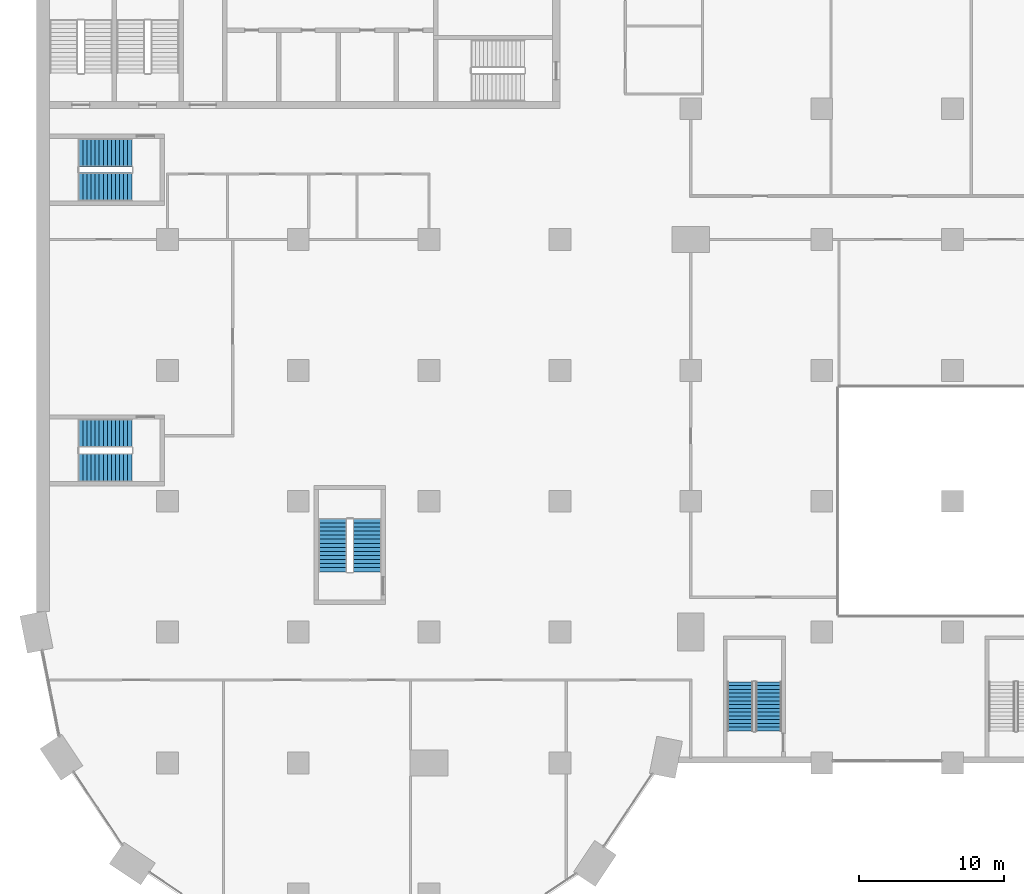
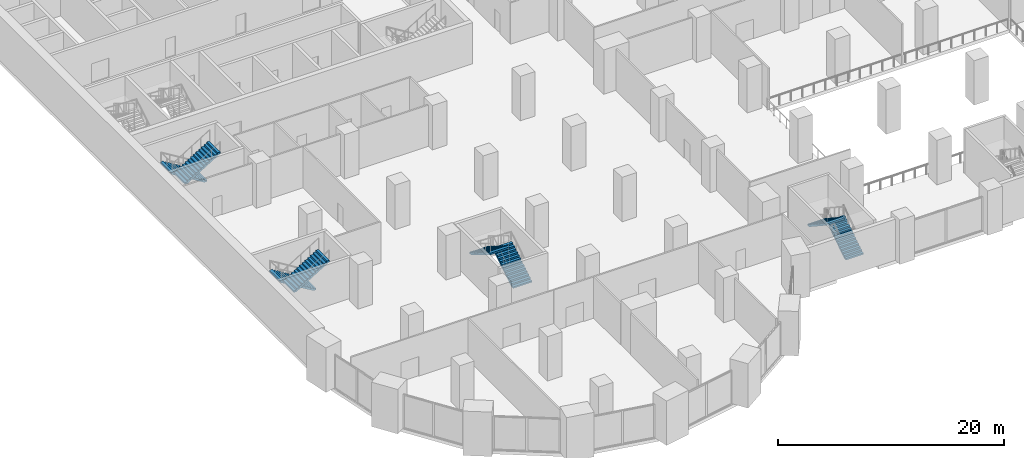
# One storey, part 31 of 49: 8 stair flights, 4 elements without a shape of their own.
"""IFC4 building model written with IfcOpenShell, lengths in metres."""

from ifc_helpers import new_model, si_unit, direction, frame, origin, place, context, subcontext, project, spatial, polyline, outline, extrude, material, type_object, element, aggregate, save


model = new_model("IFC4")

# Units and contexts
model_context = context("Model", 3, precision=1e-05, world=origin(), true_north=direction((0.0, 1.0)))
body_context = subcontext(model_context, "Body", "Model", "MODEL_VIEW")
ifc_project = project(units=[si_unit("LENGTHUNIT", "METRE"), si_unit("AREAUNIT", "SQUARE_METRE"), si_unit("VOLUMEUNIT", "CUBIC_METRE"), si_unit("PLANEANGLEUNIT", "RADIAN"), si_unit("MASSUNIT", "GRAM", prefix="KILO")], contexts=[model_context])

# Site, building, storey
site_placement = place(None, origin())
site = spatial("IfcSite", under=ifc_project, at=site_placement, CompositionType="ELEMENT")
building_placement = place(site_placement, origin())
building = spatial("IfcBuilding", under=site, at=building_placement, Name="Hunhe Ridgeline Campus", CompositionType="ELEMENT")
storey_placement = place(building_placement, frame((0.0, 0.0, 21.60009765625)))
storey = spatial("IfcBuildingStorey", under=building, at=storey_placement, Name="L04", CompositionType="ELEMENT", Elevation=21.60009765625)

# Stair, stair flights
ifc_material = material(Name="Concrete C40", Category="concrete")
stair_type_1 = type_object("IfcStairType", Name="Podium exit stair 1800", PredefinedType="HALF_TURN_STAIR", material=ifc_material)
stair_1_placement = place(storey_placement, origin())
stair_1 = element("IfcStair", 1, at=stair_1_placement, inside=storey, type_object=stair_type_1, Name="L04 podium stair PS1", PredefinedType="HALF_TURN_STAIR")
stair_flight_type_1 = type_object("IfcStairFlightType", Name="Podium stair flight 1800", PredefinedType="STRAIGHT", material=ifc_material)
stair_flight_1_placement = place(storey_placement, frame((50.35009765625, 20.199951171875, 0.0), z_axis=(0.0, 0.0, 1.0), x_axis=(0.0, 1.0, 0.0)))
stair_flight_1 = element("IfcStairFlight", 2, at=stair_flight_1_placement, type_object=stair_flight_type_1, Name="PS1 flight 1", NumberOfRisers=14, NumberOfTreads=13, PredefinedType="STRAIGHT", RiserHeight=0.171428571, TreadLength=0.26, context=body_context, shape_type="SweptSolid", body=[
    extrude(outline(polyline([(0.0, 0.0), (0.0, 0.17138671875), (0.260009765625, 0.17138671875), (0.260009765625, 0.3427734375), (0.52001953125, 0.3427734375), (0.52001953125, 0.514404296875), (0.780029296875, 0.514404296875), (0.780029296875, 0.685791015625), (1.0400390625, 0.685791015625), (1.0400390625, 0.857177734375), (1.300048828125, 0.857177734375), (1.300048828125, 1.028564453125), (1.56005859375, 1.028564453125), (1.56005859375, 1.199951171875), (1.820068359375, 1.199951171875), (1.820068359375, 1.371337890625), (2.080078125, 1.371337890625), (2.080078125, 1.54296875), (2.340087890625, 1.54296875), (2.340087890625, 1.71435546875), (2.60009765625, 1.71435546875), (2.60009765625, 1.8857421875), (2.860107421875, 1.8857421875), (2.860107421875, 2.05712890625), (3.1201171875, 2.05712890625), (3.1201171875, 2.228515625), (3.3798828125, 2.228515625), (3.3798828125, 2.39990234375), (3.3798828125, 2.049072265625), (0.272216796875, 0.0), (0.0, 0.0)])), frame((0.0, 0.89990234375, 0.0), z_axis=(0.0, -1.0, 0.0), x_axis=(1.0, 0.0, 0.0)), (0.0, 0.0, 1.0), 1.800048828125),
])
stair_flight_2_placement = place(storey_placement, frame((48.39990234375, 23.580078125, 2.39990234375), z_axis=(0.0, 0.0, 1.0), x_axis=(0.0, -1.0, 0.0)))
stair_flight_2 = element("IfcStairFlight", 3, at=stair_flight_2_placement, type_object=stair_flight_type_1, Name="PS1 flight 2", NumberOfRisers=14, NumberOfTreads=13, PredefinedType="STRAIGHT", RiserHeight=0.171428571, TreadLength=0.26, context=body_context, shape_type="SweptSolid", body=[
    extrude(outline(polyline([(0.0, 0.0), (0.0, 0.17138671875), (0.260009765625, 0.17138671875), (0.260009765625, 0.3427734375), (0.52001953125, 0.3427734375), (0.52001953125, 0.514404296875), (0.780029296875, 0.514404296875), (0.780029296875, 0.685791015625), (1.0400390625, 0.685791015625), (1.0400390625, 0.857177734375), (1.300048828125, 0.857177734375), (1.300048828125, 1.028564453125), (1.56005859375, 1.028564453125), (1.56005859375, 1.199951171875), (1.820068359375, 1.199951171875), (1.820068359375, 1.371337890625), (2.080078125, 1.371337890625), (2.080078125, 1.54296875), (2.340087890625, 1.54296875), (2.340087890625, 1.71435546875), (2.60009765625, 1.71435546875), (2.60009765625, 1.8857421875), (2.860107421875, 1.8857421875), (2.860107421875, 2.05712890625), (3.1201171875, 2.05712890625), (3.1201171875, 2.228515625), (3.3798828125, 2.228515625), (3.3798828125, 2.39990234375), (3.3798828125, 2.049072265625), (0.272216796875, 0.0), (0.0, 0.0)])), frame((0.0, 0.89990234375, 0.0), z_axis=(0.0, -1.0, 0.0), x_axis=(1.0, 0.0, 0.0)), (0.0, 0.0, 1.0), 1.800048828125),
])
aggregate(stair_1, [stair_flight_1, stair_flight_2])

stair_type_2 = type_object("IfcStairType", Name="Reinforced concrete dog-leg stair 1950 Concrete C40", PredefinedType="HALF_TURN_STAIR", material=ifc_material)
stair_2_placement = place(storey_placement, origin())
stair_2 = element("IfcStair", 4, at=stair_2_placement, inside=storey, type_object=stair_type_2, Name="L04 W3", PredefinedType="HALF_TURN_STAIR")
stair_flight_type_2 = type_object("IfcStairFlightType", Name="Reinforced concrete stair flight 1950 Concrete C40", PredefinedType="STRAIGHT", material=ifc_material)
stair_flight_3_placement = place(storey_placement, frame((22.72509765625, 31.14990234375, 0.0), z_axis=(0.0, 0.0, 1.0), x_axis=(0.0, 1.0, 0.0)))
stair_flight_3 = element("IfcStairFlight", 5, at=stair_flight_3_placement, type_object=stair_flight_type_2, Name="ST9 flight 1", NumberOfRisers=14, NumberOfTreads=13, PredefinedType="STRAIGHT", RiserHeight=0.171428571, TreadLength=0.28, context=body_context, shape_type="SweptSolid", body=[
    extrude(outline(polyline([(0.0, 0.0), (0.0, 0.17138671875), (0.280029296875, 0.17138671875), (0.280029296875, 0.3427734375), (0.56005859375, 0.3427734375), (0.56005859375, 0.514404296875), (0.840087890625, 0.514404296875), (0.840087890625, 0.685791015625), (1.1201171875, 0.685791015625), (1.1201171875, 0.857177734375), (1.39990234375, 0.857177734375), (1.39990234375, 1.028564453125), (1.679931640625, 1.028564453125), (1.679931640625, 1.199951171875), (1.9599609375, 1.199951171875), (1.9599609375, 1.371337890625), (2.239990234375, 1.371337890625), (2.239990234375, 1.54296875), (2.52001953125, 1.54296875), (2.52001953125, 1.71435546875), (2.800048828125, 1.71435546875), (2.800048828125, 1.8857421875), (3.080078125, 1.8857421875), (3.080078125, 2.05712890625), (3.360107421875, 2.05712890625), (3.360107421875, 2.228515625), (3.639892578125, 2.228515625), (3.639892578125, 2.39990234375), (3.639892578125, 2.052734375), (0.287109375, 0.0), (0.0, 0.0)])), frame((0.0, 0.97509765625, 0.0), z_axis=(0.0, -1.0, 0.0), x_axis=(1.0, 0.0, 0.0)), (0.0, 0.0, 1.0), 1.949951171875),
    extrude(outline(polyline([(0.030029296875, 0.030029296875), (0.030029296875, 0.141357421875), (0.31005859375, 0.141357421875), (0.31005859375, 0.31298828125), (0.590087890625, 0.31298828125), (0.590087890625, 0.484375), (0.8701171875, 0.484375), (0.8701171875, 0.65576171875), (1.14990234375, 0.65576171875), (1.14990234375, 0.8271484375), (1.429931640625, 0.8271484375), (1.429931640625, 0.99853515625), (1.7099609375, 0.99853515625), (1.7099609375, 1.169921875), (1.989990234375, 1.169921875), (1.989990234375, 1.34130859375), (2.27001953125, 1.34130859375), (2.27001953125, 1.512939453125), (2.550048828125, 1.512939453125), (2.550048828125, 1.684326171875), (2.830078125, 1.684326171875), (2.830078125, 1.855712890625), (3.110107421875, 1.855712890625), (3.110107421875, 2.027099609375), (3.389892578125, 2.027099609375), (3.389892578125, 2.198486328125), (3.610107421875, 2.198486328125), (3.610107421875, 2.069580078125), (0.278564453125, 0.030029296875), (0.030029296875, 0.030029296875)])), frame((0.0, -0.070068359375, 0.0), z_axis=(0.0, -1.0, 0.0), x_axis=(1.0, 0.0, 0.0)), (0.0, 0.0, 1.0), 0.019775390625),
    extrude(outline(polyline([(0.030029296875, 0.030029296875), (0.030029296875, 0.141357421875), (0.31005859375, 0.141357421875), (0.31005859375, 0.31298828125), (0.590087890625, 0.31298828125), (0.590087890625, 0.484375), (0.8701171875, 0.484375), (0.8701171875, 0.65576171875), (1.14990234375, 0.65576171875), (1.14990234375, 0.8271484375), (1.429931640625, 0.8271484375), (1.429931640625, 0.99853515625), (1.7099609375, 0.99853515625), (1.7099609375, 1.169921875), (1.989990234375, 1.169921875), (1.989990234375, 1.34130859375), (2.27001953125, 1.34130859375), (2.27001953125, 1.512939453125), (2.550048828125, 1.512939453125), (2.550048828125, 1.684326171875), (2.830078125, 1.684326171875), (2.830078125, 1.855712890625), (3.110107421875, 1.855712890625), (3.110107421875, 2.027099609375), (3.389892578125, 2.027099609375), (3.389892578125, 2.198486328125), (3.610107421875, 2.198486328125), (3.610107421875, 2.069580078125), (0.278564453125, 0.030029296875), (0.030029296875, 0.030029296875)])), frame((0.0, 0.010009765625, 0.0), z_axis=(0.0, -1.0, 0.0), x_axis=(1.0, 0.0, 0.0)), (0.0, 0.0, 1.0), 0.019775390625),
    extrude(outline(polyline([(0.030029296875, 0.030029296875), (0.030029296875, 0.141357421875), (0.31005859375, 0.141357421875), (0.31005859375, 0.31298828125), (0.590087890625, 0.31298828125), (0.590087890625, 0.484375), (0.8701171875, 0.484375), (0.8701171875, 0.65576171875), (1.14990234375, 0.65576171875), (1.14990234375, 0.8271484375), (1.429931640625, 0.8271484375), (1.429931640625, 0.99853515625), (1.7099609375, 0.99853515625), (1.7099609375, 1.169921875), (1.989990234375, 1.169921875), (1.989990234375, 1.34130859375), (2.27001953125, 1.34130859375), (2.27001953125, 1.512939453125), (2.550048828125, 1.512939453125), (2.550048828125, 1.684326171875), (2.830078125, 1.684326171875), (2.830078125, 1.855712890625), (3.110107421875, 1.855712890625), (3.110107421875, 2.027099609375), (3.389892578125, 2.027099609375), (3.389892578125, 2.198486328125), (3.610107421875, 2.198486328125), (3.610107421875, 2.069580078125), (0.278564453125, 0.030029296875), (0.030029296875, 0.030029296875)])), frame((0.0, 0.090087890625, 0.0), z_axis=(0.0, -1.0, 0.0), x_axis=(1.0, 0.0, 0.0)), (0.0, 0.0, 1.0), 0.019775390625),
])
stair_flight_4_placement = place(storey_placement, frame((20.375, 34.7900390625, 2.39990234375), z_axis=(0.0, 0.0, 1.0), x_axis=(0.0, -1.0, 0.0)))
stair_flight_4 = element("IfcStairFlight", 6, at=stair_flight_4_placement, type_object=stair_flight_type_2, Name="ST9 flight 2", NumberOfRisers=14, NumberOfTreads=13, PredefinedType="STRAIGHT", RiserHeight=0.171428571, TreadLength=0.28, context=body_context, shape_type="SweptSolid", body=[
    extrude(outline(polyline([(0.0, 0.0), (0.0, 0.17138671875), (0.280029296875, 0.17138671875), (0.280029296875, 0.3427734375), (0.56005859375, 0.3427734375), (0.56005859375, 0.514404296875), (0.840087890625, 0.514404296875), (0.840087890625, 0.685791015625), (1.1201171875, 0.685791015625), (1.1201171875, 0.857177734375), (1.39990234375, 0.857177734375), (1.39990234375, 1.028564453125), (1.679931640625, 1.028564453125), (1.679931640625, 1.199951171875), (1.9599609375, 1.199951171875), (1.9599609375, 1.371337890625), (2.239990234375, 1.371337890625), (2.239990234375, 1.54296875), (2.52001953125, 1.54296875), (2.52001953125, 1.71435546875), (2.800048828125, 1.71435546875), (2.800048828125, 1.8857421875), (3.080078125, 1.8857421875), (3.080078125, 2.05712890625), (3.360107421875, 2.05712890625), (3.360107421875, 2.228515625), (3.639892578125, 2.228515625), (3.639892578125, 2.39990234375), (3.639892578125, 2.052734375), (0.287109375, 0.0), (0.0, 0.0)])), frame((0.0, 0.97509765625, 0.0), z_axis=(0.0, -1.0, 0.0), x_axis=(1.0, 0.0, 0.0)), (0.0, 0.0, 1.0), 1.949951171875),
    extrude(outline(polyline([(0.030029296875, 0.030029296875), (0.030029296875, 0.141357421875), (0.31005859375, 0.141357421875), (0.31005859375, 0.31298828125), (0.590087890625, 0.31298828125), (0.590087890625, 0.484375), (0.8701171875, 0.484375), (0.8701171875, 0.65576171875), (1.14990234375, 0.65576171875), (1.14990234375, 0.8271484375), (1.429931640625, 0.8271484375), (1.429931640625, 0.99853515625), (1.7099609375, 0.99853515625), (1.7099609375, 1.169921875), (1.989990234375, 1.169921875), (1.989990234375, 1.34130859375), (2.27001953125, 1.34130859375), (2.27001953125, 1.512939453125), (2.550048828125, 1.512939453125), (2.550048828125, 1.684326171875), (2.830078125, 1.684326171875), (2.830078125, 1.855712890625), (3.110107421875, 1.855712890625), (3.110107421875, 2.027099609375), (3.389892578125, 2.027099609375), (3.389892578125, 2.198486328125), (3.610107421875, 2.198486328125), (3.610107421875, 2.069580078125), (0.278564453125, 0.030029296875), (0.030029296875, 0.030029296875)])), frame((0.0, -0.070068359375, 0.0), z_axis=(0.0, -1.0, 0.0), x_axis=(1.0, 0.0, 0.0)), (0.0, 0.0, 1.0), 0.019775390625),
    extrude(outline(polyline([(0.030029296875, 0.030029296875), (0.030029296875, 0.141357421875), (0.31005859375, 0.141357421875), (0.31005859375, 0.31298828125), (0.590087890625, 0.31298828125), (0.590087890625, 0.484375), (0.8701171875, 0.484375), (0.8701171875, 0.65576171875), (1.14990234375, 0.65576171875), (1.14990234375, 0.8271484375), (1.429931640625, 0.8271484375), (1.429931640625, 0.99853515625), (1.7099609375, 0.99853515625), (1.7099609375, 1.169921875), (1.989990234375, 1.169921875), (1.989990234375, 1.34130859375), (2.27001953125, 1.34130859375), (2.27001953125, 1.512939453125), (2.550048828125, 1.512939453125), (2.550048828125, 1.684326171875), (2.830078125, 1.684326171875), (2.830078125, 1.855712890625), (3.110107421875, 1.855712890625), (3.110107421875, 2.027099609375), (3.389892578125, 2.027099609375), (3.389892578125, 2.198486328125), (3.610107421875, 2.198486328125), (3.610107421875, 2.069580078125), (0.278564453125, 0.030029296875), (0.030029296875, 0.030029296875)])), frame((0.0, 0.010009765625, 0.0), z_axis=(0.0, -1.0, 0.0), x_axis=(1.0, 0.0, 0.0)), (0.0, 0.0, 1.0), 0.019775390625),
    extrude(outline(polyline([(0.030029296875, 0.030029296875), (0.030029296875, 0.141357421875), (0.31005859375, 0.141357421875), (0.31005859375, 0.31298828125), (0.590087890625, 0.31298828125), (0.590087890625, 0.484375), (0.8701171875, 0.484375), (0.8701171875, 0.65576171875), (1.14990234375, 0.65576171875), (1.14990234375, 0.8271484375), (1.429931640625, 0.8271484375), (1.429931640625, 0.99853515625), (1.7099609375, 0.99853515625), (1.7099609375, 1.169921875), (1.989990234375, 1.169921875), (1.989990234375, 1.34130859375), (2.27001953125, 1.34130859375), (2.27001953125, 1.512939453125), (2.550048828125, 1.512939453125), (2.550048828125, 1.684326171875), (2.830078125, 1.684326171875), (2.830078125, 1.855712890625), (3.110107421875, 1.855712890625), (3.110107421875, 2.027099609375), (3.389892578125, 2.027099609375), (3.389892578125, 2.198486328125), (3.610107421875, 2.198486328125), (3.610107421875, 2.069580078125), (0.278564453125, 0.030029296875), (0.030029296875, 0.030029296875)])), frame((0.0, 0.090087890625, 0.0), z_axis=(0.0, -1.0, 0.0), x_axis=(1.0, 0.0, 0.0)), (0.0, 0.0, 1.0), 0.019775390625),
])
aggregate(stair_2, [stair_flight_3, stair_flight_4])

stair_3_placement = place(storey_placement, origin())
stair_3 = element("IfcStair", 7, at=stair_3_placement, inside=storey, type_object=stair_type_2, Name="L04 W1", PredefinedType="HALF_TURN_STAIR")
stair_flight_5_placement = place(storey_placement, frame((6.550048828125, 40.675048828125, 0.0), z_axis=(0.0, 0.0, 1.0), x_axis=(-1.0, 0.0, 0.0)))
stair_flight_5 = element("IfcStairFlight", 8, at=stair_flight_5_placement, type_object=stair_flight_type_2, Name="ST11 flight 1", NumberOfRisers=14, NumberOfTreads=13, PredefinedType="STRAIGHT", RiserHeight=0.171428571, TreadLength=0.28, context=body_context, shape_type="SweptSolid", body=[
    extrude(outline(polyline([(0.0, 0.0), (0.0, 0.17138671875), (0.280029296875, 0.17138671875), (0.280029296875, 0.3427734375), (0.56005859375, 0.3427734375), (0.56005859375, 0.514404296875), (0.840087890625, 0.514404296875), (0.840087890625, 0.685791015625), (1.1201171875, 0.685791015625), (1.1201171875, 0.857177734375), (1.39990234375, 0.857177734375), (1.39990234375, 1.028564453125), (1.679931640625, 1.028564453125), (1.679931640625, 1.199951171875), (1.9599609375, 1.199951171875), (1.9599609375, 1.371337890625), (2.239990234375, 1.371337890625), (2.239990234375, 1.54296875), (2.52001953125, 1.54296875), (2.52001953125, 1.71435546875), (2.800048828125, 1.71435546875), (2.800048828125, 1.8857421875), (3.080078125, 1.8857421875), (3.080078125, 2.05712890625), (3.360107421875, 2.05712890625), (3.360107421875, 2.228515625), (3.639892578125, 2.228515625), (3.639892578125, 2.39990234375), (3.639892578125, 2.052734375), (0.287109375, 0.0), (0.0, 0.0)])), frame((0.0, 0.97509765625, 0.0), z_axis=(0.0, -1.0, 0.0), x_axis=(1.0, 0.0, 0.0)), (0.0, 0.0, 1.0), 1.949951171875),
    extrude(outline(polyline([(0.030029296875, 0.030029296875), (0.030029296875, 0.141357421875), (0.31005859375, 0.141357421875), (0.31005859375, 0.31298828125), (0.590087890625, 0.31298828125), (0.590087890625, 0.484375), (0.8701171875, 0.484375), (0.8701171875, 0.65576171875), (1.14990234375, 0.65576171875), (1.14990234375, 0.8271484375), (1.429931640625, 0.8271484375), (1.429931640625, 0.99853515625), (1.7099609375, 0.99853515625), (1.7099609375, 1.169921875), (1.989990234375, 1.169921875), (1.989990234375, 1.34130859375), (2.27001953125, 1.34130859375), (2.27001953125, 1.512939453125), (2.550048828125, 1.512939453125), (2.550048828125, 1.684326171875), (2.830078125, 1.684326171875), (2.830078125, 1.855712890625), (3.110107421875, 1.855712890625), (3.110107421875, 2.027099609375), (3.389892578125, 2.027099609375), (3.389892578125, 2.198486328125), (3.610107421875, 2.198486328125), (3.610107421875, 2.069580078125), (0.278564453125, 0.030029296875), (0.030029296875, 0.030029296875)])), frame((0.0, -0.070068359375, 0.0), z_axis=(0.0, -1.0, 0.0), x_axis=(1.0, 0.0, 0.0)), (0.0, 0.0, 1.0), 0.019775390625),
    extrude(outline(polyline([(0.030029296875, 0.030029296875), (0.030029296875, 0.141357421875), (0.31005859375, 0.141357421875), (0.31005859375, 0.31298828125), (0.590087890625, 0.31298828125), (0.590087890625, 0.484375), (0.8701171875, 0.484375), (0.8701171875, 0.65576171875), (1.14990234375, 0.65576171875), (1.14990234375, 0.8271484375), (1.429931640625, 0.8271484375), (1.429931640625, 0.99853515625), (1.7099609375, 0.99853515625), (1.7099609375, 1.169921875), (1.989990234375, 1.169921875), (1.989990234375, 1.34130859375), (2.27001953125, 1.34130859375), (2.27001953125, 1.512939453125), (2.550048828125, 1.512939453125), (2.550048828125, 1.684326171875), (2.830078125, 1.684326171875), (2.830078125, 1.855712890625), (3.110107421875, 1.855712890625), (3.110107421875, 2.027099609375), (3.389892578125, 2.027099609375), (3.389892578125, 2.198486328125), (3.610107421875, 2.198486328125), (3.610107421875, 2.069580078125), (0.278564453125, 0.030029296875), (0.030029296875, 0.030029296875)])), frame((0.0, 0.010009765625, 0.0), z_axis=(0.0, -1.0, 0.0), x_axis=(1.0, 0.0, 0.0)), (0.0, 0.0, 1.0), 0.019775390625),
    extrude(outline(polyline([(0.030029296875, 0.030029296875), (0.030029296875, 0.141357421875), (0.31005859375, 0.141357421875), (0.31005859375, 0.31298828125), (0.590087890625, 0.31298828125), (0.590087890625, 0.484375), (0.8701171875, 0.484375), (0.8701171875, 0.65576171875), (1.14990234375, 0.65576171875), (1.14990234375, 0.8271484375), (1.429931640625, 0.8271484375), (1.429931640625, 0.99853515625), (1.7099609375, 0.99853515625), (1.7099609375, 1.169921875), (1.989990234375, 1.169921875), (1.989990234375, 1.34130859375), (2.27001953125, 1.34130859375), (2.27001953125, 1.512939453125), (2.550048828125, 1.512939453125), (2.550048828125, 1.684326171875), (2.830078125, 1.684326171875), (2.830078125, 1.855712890625), (3.110107421875, 1.855712890625), (3.110107421875, 2.027099609375), (3.389892578125, 2.027099609375), (3.389892578125, 2.198486328125), (3.610107421875, 2.198486328125), (3.610107421875, 2.069580078125), (0.278564453125, 0.030029296875), (0.030029296875, 0.030029296875)])), frame((0.0, 0.090087890625, 0.0), z_axis=(0.0, -1.0, 0.0), x_axis=(1.0, 0.0, 0.0)), (0.0, 0.0, 1.0), 0.019775390625),
])
stair_flight_6_placement = place(storey_placement, frame((2.909912109375, 38.324951171875, 2.39990234375), z_axis=(0.0, 0.0, 1.0), x_axis=(1.0, 0.0, 0.0)))
stair_flight_6 = element("IfcStairFlight", 9, at=stair_flight_6_placement, type_object=stair_flight_type_2, Name="ST11 flight 2", NumberOfRisers=14, NumberOfTreads=13, PredefinedType="STRAIGHT", RiserHeight=0.171428571, TreadLength=0.28, context=body_context, shape_type="SweptSolid", body=[
    extrude(outline(polyline([(0.0, 0.0), (0.0, 0.17138671875), (0.280029296875, 0.17138671875), (0.280029296875, 0.3427734375), (0.56005859375, 0.3427734375), (0.56005859375, 0.514404296875), (0.840087890625, 0.514404296875), (0.840087890625, 0.685791015625), (1.1201171875, 0.685791015625), (1.1201171875, 0.857177734375), (1.39990234375, 0.857177734375), (1.39990234375, 1.028564453125), (1.679931640625, 1.028564453125), (1.679931640625, 1.199951171875), (1.9599609375, 1.199951171875), (1.9599609375, 1.371337890625), (2.239990234375, 1.371337890625), (2.239990234375, 1.54296875), (2.52001953125, 1.54296875), (2.52001953125, 1.71435546875), (2.800048828125, 1.71435546875), (2.800048828125, 1.8857421875), (3.080078125, 1.8857421875), (3.080078125, 2.05712890625), (3.360107421875, 2.05712890625), (3.360107421875, 2.228515625), (3.639892578125, 2.228515625), (3.639892578125, 2.39990234375), (3.639892578125, 2.052734375), (0.287109375, 0.0), (0.0, 0.0)])), frame((0.0, 0.97509765625, 0.0), z_axis=(0.0, -1.0, 0.0), x_axis=(1.0, 0.0, 0.0)), (0.0, 0.0, 1.0), 1.949951171875),
    extrude(outline(polyline([(0.030029296875, 0.030029296875), (0.030029296875, 0.141357421875), (0.31005859375, 0.141357421875), (0.31005859375, 0.31298828125), (0.590087890625, 0.31298828125), (0.590087890625, 0.484375), (0.8701171875, 0.484375), (0.8701171875, 0.65576171875), (1.14990234375, 0.65576171875), (1.14990234375, 0.8271484375), (1.429931640625, 0.8271484375), (1.429931640625, 0.99853515625), (1.7099609375, 0.99853515625), (1.7099609375, 1.169921875), (1.989990234375, 1.169921875), (1.989990234375, 1.34130859375), (2.27001953125, 1.34130859375), (2.27001953125, 1.512939453125), (2.550048828125, 1.512939453125), (2.550048828125, 1.684326171875), (2.830078125, 1.684326171875), (2.830078125, 1.855712890625), (3.110107421875, 1.855712890625), (3.110107421875, 2.027099609375), (3.389892578125, 2.027099609375), (3.389892578125, 2.198486328125), (3.610107421875, 2.198486328125), (3.610107421875, 2.069580078125), (0.278564453125, 0.030029296875), (0.030029296875, 0.030029296875)])), frame((0.0, -0.070068359375, 0.0), z_axis=(0.0, -1.0, 0.0), x_axis=(1.0, 0.0, 0.0)), (0.0, 0.0, 1.0), 0.019775390625),
    extrude(outline(polyline([(0.030029296875, 0.030029296875), (0.030029296875, 0.141357421875), (0.31005859375, 0.141357421875), (0.31005859375, 0.31298828125), (0.590087890625, 0.31298828125), (0.590087890625, 0.484375), (0.8701171875, 0.484375), (0.8701171875, 0.65576171875), (1.14990234375, 0.65576171875), (1.14990234375, 0.8271484375), (1.429931640625, 0.8271484375), (1.429931640625, 0.99853515625), (1.7099609375, 0.99853515625), (1.7099609375, 1.169921875), (1.989990234375, 1.169921875), (1.989990234375, 1.34130859375), (2.27001953125, 1.34130859375), (2.27001953125, 1.512939453125), (2.550048828125, 1.512939453125), (2.550048828125, 1.684326171875), (2.830078125, 1.684326171875), (2.830078125, 1.855712890625), (3.110107421875, 1.855712890625), (3.110107421875, 2.027099609375), (3.389892578125, 2.027099609375), (3.389892578125, 2.198486328125), (3.610107421875, 2.198486328125), (3.610107421875, 2.069580078125), (0.278564453125, 0.030029296875), (0.030029296875, 0.030029296875)])), frame((0.0, 0.010009765625, 0.0), z_axis=(0.0, -1.0, 0.0), x_axis=(1.0, 0.0, 0.0)), (0.0, 0.0, 1.0), 0.019775390625),
    extrude(outline(polyline([(0.030029296875, 0.030029296875), (0.030029296875, 0.141357421875), (0.31005859375, 0.141357421875), (0.31005859375, 0.31298828125), (0.590087890625, 0.31298828125), (0.590087890625, 0.484375), (0.8701171875, 0.484375), (0.8701171875, 0.65576171875), (1.14990234375, 0.65576171875), (1.14990234375, 0.8271484375), (1.429931640625, 0.8271484375), (1.429931640625, 0.99853515625), (1.7099609375, 0.99853515625), (1.7099609375, 1.169921875), (1.989990234375, 1.169921875), (1.989990234375, 1.34130859375), (2.27001953125, 1.34130859375), (2.27001953125, 1.512939453125), (2.550048828125, 1.512939453125), (2.550048828125, 1.684326171875), (2.830078125, 1.684326171875), (2.830078125, 1.855712890625), (3.110107421875, 1.855712890625), (3.110107421875, 2.027099609375), (3.389892578125, 2.027099609375), (3.389892578125, 2.198486328125), (3.610107421875, 2.198486328125), (3.610107421875, 2.069580078125), (0.278564453125, 0.030029296875), (0.030029296875, 0.030029296875)])), frame((0.0, 0.090087890625, 0.0), z_axis=(0.0, -1.0, 0.0), x_axis=(1.0, 0.0, 0.0)), (0.0, 0.0, 1.0), 0.019775390625),
])
aggregate(stair_3, [stair_flight_5, stair_flight_6])

stair_4_placement = place(storey_placement, origin())
stair_4 = element("IfcStair", 10, at=stair_4_placement, inside=storey, type_object=stair_type_2, Name="L04 W2", PredefinedType="HALF_TURN_STAIR")
stair_flight_7_placement = place(storey_placement, frame((6.550048828125, 59.97509765625, 0.0), z_axis=(0.0, 0.0, 1.0), x_axis=(-1.0, 0.0, 0.0)))
stair_flight_7 = element("IfcStairFlight", 11, at=stair_flight_7_placement, type_object=stair_flight_type_2, Name="ST12 flight 1", NumberOfRisers=14, NumberOfTreads=13, PredefinedType="STRAIGHT", RiserHeight=0.171428571, TreadLength=0.28, context=body_context, shape_type="SweptSolid", body=[
    extrude(outline(polyline([(0.0, 0.0), (0.0, 0.17138671875), (0.280029296875, 0.17138671875), (0.280029296875, 0.3427734375), (0.56005859375, 0.3427734375), (0.56005859375, 0.514404296875), (0.840087890625, 0.514404296875), (0.840087890625, 0.685791015625), (1.1201171875, 0.685791015625), (1.1201171875, 0.857177734375), (1.39990234375, 0.857177734375), (1.39990234375, 1.028564453125), (1.679931640625, 1.028564453125), (1.679931640625, 1.199951171875), (1.9599609375, 1.199951171875), (1.9599609375, 1.371337890625), (2.239990234375, 1.371337890625), (2.239990234375, 1.54296875), (2.52001953125, 1.54296875), (2.52001953125, 1.71435546875), (2.800048828125, 1.71435546875), (2.800048828125, 1.8857421875), (3.080078125, 1.8857421875), (3.080078125, 2.05712890625), (3.360107421875, 2.05712890625), (3.360107421875, 2.228515625), (3.639892578125, 2.228515625), (3.639892578125, 2.39990234375), (3.639892578125, 2.052734375), (0.287109375, 0.0), (0.0, 0.0)])), frame((0.0, 0.97509765625, 0.0), z_axis=(0.0, -1.0, 0.0), x_axis=(1.0, 0.0, 0.0)), (0.0, 0.0, 1.0), 1.949951171875),
    extrude(outline(polyline([(0.030029296875, 0.030029296875), (0.030029296875, 0.141357421875), (0.31005859375, 0.141357421875), (0.31005859375, 0.31298828125), (0.590087890625, 0.31298828125), (0.590087890625, 0.484375), (0.8701171875, 0.484375), (0.8701171875, 0.65576171875), (1.14990234375, 0.65576171875), (1.14990234375, 0.8271484375), (1.429931640625, 0.8271484375), (1.429931640625, 0.99853515625), (1.7099609375, 0.99853515625), (1.7099609375, 1.169921875), (1.989990234375, 1.169921875), (1.989990234375, 1.34130859375), (2.27001953125, 1.34130859375), (2.27001953125, 1.512939453125), (2.550048828125, 1.512939453125), (2.550048828125, 1.684326171875), (2.830078125, 1.684326171875), (2.830078125, 1.855712890625), (3.110107421875, 1.855712890625), (3.110107421875, 2.027099609375), (3.389892578125, 2.027099609375), (3.389892578125, 2.198486328125), (3.610107421875, 2.198486328125), (3.610107421875, 2.069580078125), (0.278564453125, 0.030029296875), (0.030029296875, 0.030029296875)])), frame((0.0, -0.070068359375, 0.0), z_axis=(0.0, -1.0, 0.0), x_axis=(1.0, 0.0, 0.0)), (0.0, 0.0, 1.0), 0.019775390625),
    extrude(outline(polyline([(0.030029296875, 0.030029296875), (0.030029296875, 0.141357421875), (0.31005859375, 0.141357421875), (0.31005859375, 0.31298828125), (0.590087890625, 0.31298828125), (0.590087890625, 0.484375), (0.8701171875, 0.484375), (0.8701171875, 0.65576171875), (1.14990234375, 0.65576171875), (1.14990234375, 0.8271484375), (1.429931640625, 0.8271484375), (1.429931640625, 0.99853515625), (1.7099609375, 0.99853515625), (1.7099609375, 1.169921875), (1.989990234375, 1.169921875), (1.989990234375, 1.34130859375), (2.27001953125, 1.34130859375), (2.27001953125, 1.512939453125), (2.550048828125, 1.512939453125), (2.550048828125, 1.684326171875), (2.830078125, 1.684326171875), (2.830078125, 1.855712890625), (3.110107421875, 1.855712890625), (3.110107421875, 2.027099609375), (3.389892578125, 2.027099609375), (3.389892578125, 2.198486328125), (3.610107421875, 2.198486328125), (3.610107421875, 2.069580078125), (0.278564453125, 0.030029296875), (0.030029296875, 0.030029296875)])), frame((0.0, 0.010009765625, 0.0), z_axis=(0.0, -1.0, 0.0), x_axis=(1.0, 0.0, 0.0)), (0.0, 0.0, 1.0), 0.019775390625),
    extrude(outline(polyline([(0.030029296875, 0.030029296875), (0.030029296875, 0.141357421875), (0.31005859375, 0.141357421875), (0.31005859375, 0.31298828125), (0.590087890625, 0.31298828125), (0.590087890625, 0.484375), (0.8701171875, 0.484375), (0.8701171875, 0.65576171875), (1.14990234375, 0.65576171875), (1.14990234375, 0.8271484375), (1.429931640625, 0.8271484375), (1.429931640625, 0.99853515625), (1.7099609375, 0.99853515625), (1.7099609375, 1.169921875), (1.989990234375, 1.169921875), (1.989990234375, 1.34130859375), (2.27001953125, 1.34130859375), (2.27001953125, 1.512939453125), (2.550048828125, 1.512939453125), (2.550048828125, 1.684326171875), (2.830078125, 1.684326171875), (2.830078125, 1.855712890625), (3.110107421875, 1.855712890625), (3.110107421875, 2.027099609375), (3.389892578125, 2.027099609375), (3.389892578125, 2.198486328125), (3.610107421875, 2.198486328125), (3.610107421875, 2.069580078125), (0.278564453125, 0.030029296875), (0.030029296875, 0.030029296875)])), frame((0.0, 0.090087890625, 0.0), z_axis=(0.0, -1.0, 0.0), x_axis=(1.0, 0.0, 0.0)), (0.0, 0.0, 1.0), 0.019775390625),
])
stair_flight_8_placement = place(storey_placement, frame((2.909912109375, 57.625, 2.39990234375), z_axis=(0.0, 0.0, 1.0), x_axis=(1.0, 0.0, 0.0)))
stair_flight_8 = element("IfcStairFlight", 12, at=stair_flight_8_placement, type_object=stair_flight_type_2, Name="ST12 flight 2", NumberOfRisers=14, NumberOfTreads=13, PredefinedType="STRAIGHT", RiserHeight=0.171428571, TreadLength=0.28, context=body_context, shape_type="SweptSolid", body=[
    extrude(outline(polyline([(0.0, 0.0), (0.0, 0.17138671875), (0.280029296875, 0.17138671875), (0.280029296875, 0.3427734375), (0.56005859375, 0.3427734375), (0.56005859375, 0.514404296875), (0.840087890625, 0.514404296875), (0.840087890625, 0.685791015625), (1.1201171875, 0.685791015625), (1.1201171875, 0.857177734375), (1.39990234375, 0.857177734375), (1.39990234375, 1.028564453125), (1.679931640625, 1.028564453125), (1.679931640625, 1.199951171875), (1.9599609375, 1.199951171875), (1.9599609375, 1.371337890625), (2.239990234375, 1.371337890625), (2.239990234375, 1.54296875), (2.52001953125, 1.54296875), (2.52001953125, 1.71435546875), (2.800048828125, 1.71435546875), (2.800048828125, 1.8857421875), (3.080078125, 1.8857421875), (3.080078125, 2.05712890625), (3.360107421875, 2.05712890625), (3.360107421875, 2.228515625), (3.639892578125, 2.228515625), (3.639892578125, 2.39990234375), (3.639892578125, 2.052734375), (0.287109375, 0.0), (0.0, 0.0)])), frame((0.0, 0.97509765625, 0.0), z_axis=(0.0, -1.0, 0.0), x_axis=(1.0, 0.0, 0.0)), (0.0, 0.0, 1.0), 1.949951171875),
    extrude(outline(polyline([(0.030029296875, 0.030029296875), (0.030029296875, 0.141357421875), (0.31005859375, 0.141357421875), (0.31005859375, 0.31298828125), (0.590087890625, 0.31298828125), (0.590087890625, 0.484375), (0.8701171875, 0.484375), (0.8701171875, 0.65576171875), (1.14990234375, 0.65576171875), (1.14990234375, 0.8271484375), (1.429931640625, 0.8271484375), (1.429931640625, 0.99853515625), (1.7099609375, 0.99853515625), (1.7099609375, 1.169921875), (1.989990234375, 1.169921875), (1.989990234375, 1.34130859375), (2.27001953125, 1.34130859375), (2.27001953125, 1.512939453125), (2.550048828125, 1.512939453125), (2.550048828125, 1.684326171875), (2.830078125, 1.684326171875), (2.830078125, 1.855712890625), (3.110107421875, 1.855712890625), (3.110107421875, 2.027099609375), (3.389892578125, 2.027099609375), (3.389892578125, 2.198486328125), (3.610107421875, 2.198486328125), (3.610107421875, 2.069580078125), (0.278564453125, 0.030029296875), (0.030029296875, 0.030029296875)])), frame((0.0, -0.070068359375, 0.0), z_axis=(0.0, -1.0, 0.0), x_axis=(1.0, 0.0, 0.0)), (0.0, 0.0, 1.0), 0.019775390625),
    extrude(outline(polyline([(0.030029296875, 0.030029296875), (0.030029296875, 0.141357421875), (0.31005859375, 0.141357421875), (0.31005859375, 0.31298828125), (0.590087890625, 0.31298828125), (0.590087890625, 0.484375), (0.8701171875, 0.484375), (0.8701171875, 0.65576171875), (1.14990234375, 0.65576171875), (1.14990234375, 0.8271484375), (1.429931640625, 0.8271484375), (1.429931640625, 0.99853515625), (1.7099609375, 0.99853515625), (1.7099609375, 1.169921875), (1.989990234375, 1.169921875), (1.989990234375, 1.34130859375), (2.27001953125, 1.34130859375), (2.27001953125, 1.512939453125), (2.550048828125, 1.512939453125), (2.550048828125, 1.684326171875), (2.830078125, 1.684326171875), (2.830078125, 1.855712890625), (3.110107421875, 1.855712890625), (3.110107421875, 2.027099609375), (3.389892578125, 2.027099609375), (3.389892578125, 2.198486328125), (3.610107421875, 2.198486328125), (3.610107421875, 2.069580078125), (0.278564453125, 0.030029296875), (0.030029296875, 0.030029296875)])), frame((0.0, 0.010009765625, 0.0), z_axis=(0.0, -1.0, 0.0), x_axis=(1.0, 0.0, 0.0)), (0.0, 0.0, 1.0), 0.019775390625),
    extrude(outline(polyline([(0.030029296875, 0.030029296875), (0.030029296875, 0.141357421875), (0.31005859375, 0.141357421875), (0.31005859375, 0.31298828125), (0.590087890625, 0.31298828125), (0.590087890625, 0.484375), (0.8701171875, 0.484375), (0.8701171875, 0.65576171875), (1.14990234375, 0.65576171875), (1.14990234375, 0.8271484375), (1.429931640625, 0.8271484375), (1.429931640625, 0.99853515625), (1.7099609375, 0.99853515625), (1.7099609375, 1.169921875), (1.989990234375, 1.169921875), (1.989990234375, 1.34130859375), (2.27001953125, 1.34130859375), (2.27001953125, 1.512939453125), (2.550048828125, 1.512939453125), (2.550048828125, 1.684326171875), (2.830078125, 1.684326171875), (2.830078125, 1.855712890625), (3.110107421875, 1.855712890625), (3.110107421875, 2.027099609375), (3.389892578125, 2.027099609375), (3.389892578125, 2.198486328125), (3.610107421875, 2.198486328125), (3.610107421875, 2.069580078125), (0.278564453125, 0.030029296875), (0.030029296875, 0.030029296875)])), frame((0.0, 0.090087890625, 0.0), z_axis=(0.0, -1.0, 0.0), x_axis=(1.0, 0.0, 0.0)), (0.0, 0.0, 1.0), 0.019775390625),
])
aggregate(stair_4, [stair_flight_7, stair_flight_8])

save(model, "model.ifc")
